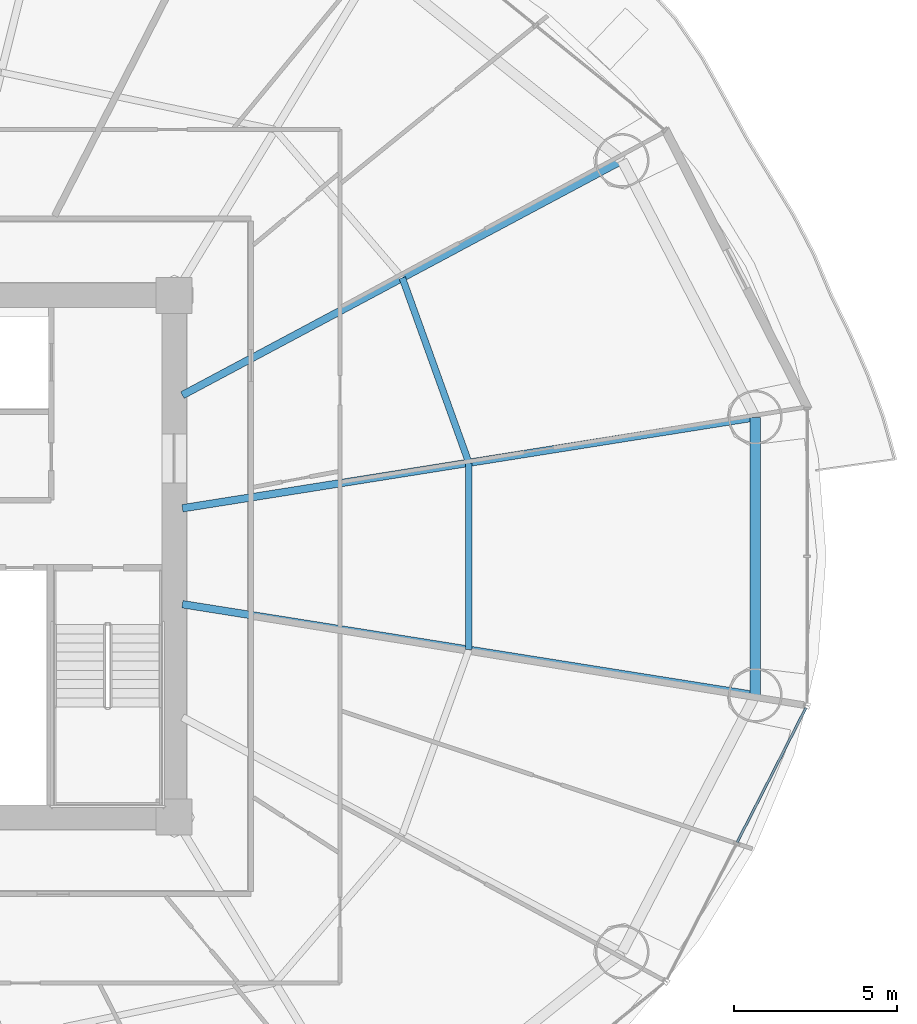
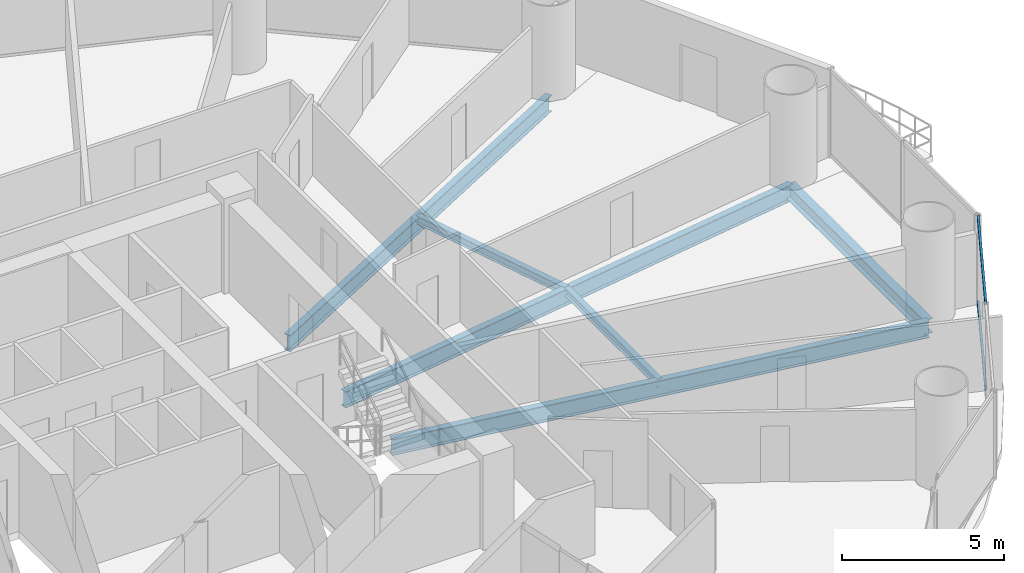
# One storey, part 13 of 30: 6 beams, 2 members, 1 element without a shape of its own.
"""IFC4 building model written with IfcOpenShell, lengths in metres."""

import ifcopenshell
import ifcopenshell.guid

model = None  # the IFC model being written
_history = None  # IfcOwnerHistory: only IFC2X3 demands one
_inside = {}  # id of a spatial element -> (the spatial element, [elements in it])
_under = {}  # id of a project, library or spatial element -> (it, [spatial elements below it])
_declared = {}  # id of a project -> (the project, [libraries it declares])
_typed = {}  # id of a type object -> (the type object, [elements of that type])
_made_of = {}  # id of a material, layer set ... -> (it, [elements and type objects made of it])


def new_model(schema):
    """Start an empty IFC model of exactly this schema.

    Asked for "IFC4X3", IfcOpenShell would pick the latest addendum, in which some entities
    have other attributes; the version numbers below select the first issue.
    IFC2X3 requires an IfcOwnerHistory on every rooted entity: one is made here for all.
    """
    global model, _history
    if schema == "IFC4X3":
        model = ifcopenshell.file(schema_version=(4, 3, 0, 0))
    else:
        model = ifcopenshell.file(schema=schema)
    _inside.clear()
    _under.clear()
    _declared.clear()
    _typed.clear()
    _made_of.clear()
    _history = None
    if model.schema == "IFC2X3":
        org = make("IfcOrganization", Name="unknown")
        user = make(
            "IfcPersonAndOrganization",
            ThePerson=make("IfcPerson", FamilyName="unknown"),
            TheOrganization=org,
        )
        app = make(
            "IfcApplication",
            ApplicationDeveloper=org,
            Version="unknown",
            ApplicationFullName="unknown",
            ApplicationIdentifier="unknown",
        )
        _history = make(
            "IfcOwnerHistory",
            OwningUser=user,
            OwningApplication=app,
            ChangeAction="ADDED",
            CreationDate=0,
        )
    return model


def make(cls, **values):
    """One entity of the class cls with the attributes given. An attribute that is None is left unset."""
    return model.create_entity(
        cls, **{name: value for name, value in values.items() if value is not None}
    )


def rooted(cls, **values):
    """An entity with a GlobalId (a new one), such as an element, a storey or a relation."""
    return make(cls, GlobalId=ifcopenshell.guid.new(), OwnerHistory=_history, **values)


def si_unit(unit_type, name, prefix=None):
    """IfcSIUnit, for example si_unit("LENGTHUNIT", "METRE", prefix="MILLI")."""
    return make("IfcSIUnit", UnitType=unit_type, Prefix=prefix, Name=name)


def assignment(units):
    """IfcUnitAssignment: the units of a project."""
    return None if units is None else make("IfcUnitAssignment", Units=units)


def point(xyz):
    """IfcCartesianPoint."""
    return None if xyz is None else make("IfcCartesianPoint", Coordinates=xyz)


def direction(xyz):
    """IfcDirection."""
    return None if xyz is None else make("IfcDirection", DirectionRatios=xyz)


def frame(location, z_axis=None, x_axis=None):
    """IfcAxis2Placement3D, a coordinate frame: its origin and axes. An axis left out is left unset."""
    return make(
        "IfcAxis2Placement3D",
        Location=point(location),
        Axis=direction(z_axis),
        RefDirection=direction(x_axis),
    )


def frame_2d(location, x_axis=None):
    """IfcAxis2Placement2D, a coordinate frame in the plane: its origin and x axis."""
    return make(
        "IfcAxis2Placement2D", Location=point(location), RefDirection=direction(x_axis)
    )


def origin():
    """The frame at (0, 0, 0) with its axes left unset."""
    return frame((0.0, 0.0, 0.0))


def origin_2d():
    """The frame at (0, 0) in the plane with its x axis left unset."""
    return frame_2d((0.0, 0.0))


def place(relative_to, where):
    """IfcLocalPlacement: puts the frame where relative to a parent placement (None: the world)."""
    return make(
        "IfcLocalPlacement", PlacementRelTo=relative_to, RelativePlacement=where
    )


def context(
    kind, dimensions, precision=None, world=None, true_north=None, identifier=None
):
    """IfcGeometricRepresentationContext, for example the 3D "Model" context."""
    return make(
        "IfcGeometricRepresentationContext",
        ContextIdentifier=identifier,
        ContextType=kind,
        CoordinateSpaceDimension=dimensions,
        Precision=precision,
        WorldCoordinateSystem=world,
        TrueNorth=true_north,
    )


def subcontext(parent, identifier, kind, view, scale=None):
    """IfcGeometricRepresentationSubContext, for example "Body" below "Model"."""
    return make(
        "IfcGeometricRepresentationSubContext",
        ContextIdentifier=identifier,
        ContextType=kind,
        ParentContext=parent,
        TargetScale=scale,
        TargetView=view,
    )


def project(units=None, contexts=None):
    """IfcProject with its units and contexts."""
    return rooted(
        "IfcProject",
        Name="project",
        RepresentationContexts=contexts,
        UnitsInContext=assignment(units),
    )


def spatial(cls, under=None, at=None, **own):
    """A site, building, storey or space (cls), placed at a placement, below another one or the project."""
    s = rooted(cls, ObjectPlacement=at, **own)
    if under is not None:
        _under.setdefault(under.id(), (under, []))[1].append(s)
    return s


def profile(cls, at=None, kind="AREA", **sizes):
    """A parametric profile (cls). Its sizes go by their IFC names, for example OverallWidth=200.0."""
    return make(cls, ProfileType=kind, Position=at, **sizes)


def hollow_rectangle(**sizes):
    """IfcRectangleHollowProfileDef."""
    return profile("IfcRectangleHollowProfileDef", **sizes)


def i_section(**sizes):
    """IfcIShapeProfileDef."""
    return profile("IfcIShapeProfileDef", **sizes)


def extrude(swept, where, along, depth):
    """IfcExtrudedAreaSolid: the profile swept, set in the frame where, extruded along a direction by depth."""
    return make(
        "IfcExtrudedAreaSolid",
        SweptArea=swept,
        Position=where,
        ExtrudedDirection=direction(along),
        Depth=depth,
    )


def shape(context_of_items, identifier, shape_type, items):
    """IfcShapeRepresentation: the items that make up one representation, for example the "Body"."""
    return make(
        "IfcShapeRepresentation",
        ContextOfItems=context_of_items,
        RepresentationIdentifier=identifier,
        RepresentationType=shape_type,
        Items=items,
    )


def source(mapping_origin, context_of_items, identifier, shape_type, items):
    """IfcRepresentationMap: a shape defined once, which mapped items show again and again."""
    return make(
        "IfcRepresentationMap",
        MappingOrigin=mapping_origin,
        MappedRepresentation=shape(context_of_items, identifier, shape_type, items),
    )


def transform(
    local_origin,
    x_axis=None,
    y_axis=None,
    z_axis=None,
    scale=None,
    scale2=None,
    scale3=None,
    uniform=True,
):
    """IfcCartesianTransformationOperator3D, or its non-uniform kind. x_axis, y_axis, z_axis: its Axis1, 2, 3."""
    if uniform:
        return make(
            "IfcCartesianTransformationOperator3D",
            Axis1=direction(x_axis),
            Axis2=direction(y_axis),
            LocalOrigin=point(local_origin),
            Scale=scale,
            Axis3=direction(z_axis),
        )
    return make(
        "IfcCartesianTransformationOperator3DnonUniform",
        Axis1=direction(x_axis),
        Axis2=direction(y_axis),
        LocalOrigin=point(local_origin),
        Scale=scale,
        Axis3=direction(z_axis),
        Scale2=scale2,
        Scale3=scale3,
    )


def mapped(mapping_source, mapping_target):
    """IfcMappedItem: shows the shape of a source again, moved by a transform."""
    return make(
        "IfcMappedItem", MappingSource=mapping_source, MappingTarget=mapping_target
    )


def material(Name=None, Category=None):
    """IfcMaterial."""
    return make("IfcMaterial", Name=Name, Category=Category)


def material_profile(
    of_material, cross_section, Name=None, Category=None, Priority=None
):
    """IfcMaterialProfile: a cross section and its material."""
    return make(
        "IfcMaterialProfile",
        Name=Name,
        Material=of_material,
        Profile=cross_section,
        Priority=Priority,
        Category=Category,
    )


def profile_set(profiles, Name=None, composite=None):
    """IfcMaterialProfileSet."""
    return make(
        "IfcMaterialProfileSet",
        Name=Name,
        MaterialProfiles=profiles,
        CompositeProfile=composite,
    )


def made_of(thing, what):
    """Note that an element or type object is made of a material, layer set ...; save() writes the relation."""
    if what is not None:
        _made_of.setdefault(what.id(), (what, []))[1].append(thing)
    return thing


def type_object(cls, material=None, **own):
    """A type object (cls), such as IfcWallType, which elements share."""
    return made_of(rooted(cls, **own), material)


def element(
    cls,
    number,
    at=None,
    inside=None,
    cuts=None,
    type_object=None,
    material=None,
    context=None,
    identifier="Body",
    shape_type=None,
    held_by="IfcProductDefinitionShape",
    body=None,
    shapes=None,
    **own,
):
    """One element of the class cls, such as IfcWall. Its Tag is "e" and its number.

    at: its placement. inside: the storey or other place that contains it. cuts: it is an
    opening in that element (IfcRelVoidsElement). A single representation is given by context,
    identifier, shape_type and body (its items); several are given by shapes. held_by: the class
    of the entity that holds the representations. save() writes the other relations.
    """
    e = rooted(cls, Tag="e%d" % number, ObjectPlacement=at, **own)
    if body is not None:
        shapes = [shape(context, identifier, shape_type, body)]
    if shapes is not None:
        e.Representation = make(held_by, Representations=shapes)
    if inside is not None:
        _inside.setdefault(inside.id(), (inside, []))[1].append(e)
    if cuts is not None:
        rooted(
            "IfcRelVoidsElement", RelatingBuildingElement=cuts, RelatedOpeningElement=e
        )
    if type_object is not None:
        _typed.setdefault(type_object.id(), (type_object, []))[1].append(e)
    return made_of(e, material)


def aggregate(whole, parts):
    """IfcRelAggregates: a whole, such as a stair, and the parts it consists of."""
    return rooted("IfcRelAggregates", RelatingObject=whole, RelatedObjects=parts)


def save(model, path):
    """Write the relations noted so far, then the file.

    IfcRelAggregates (storeys below a building ...), IfcRelContainedInSpatialStructure (elements
    in a storey), IfcRelDefinesByType, IfcRelAssociatesMaterial and IfcRelDeclares: one each for
    every whole, place, type object, material and project.
    """
    for whole, parts in _under.values():
        aggregate(whole, parts)
    for where, things in _inside.values():
        rooted(
            "IfcRelContainedInSpatialStructure",
            RelatedElements=things,
            RelatingStructure=where,
        )
    for kind, things in _typed.values():
        rooted("IfcRelDefinesByType", RelatedObjects=things, RelatingType=kind)
    for what, things in _made_of.values():
        rooted("IfcRelAssociatesMaterial", RelatedObjects=things, RelatingMaterial=what)
    for by, libraries in _declared.values():
        rooted("IfcRelDeclares", RelatingContext=by, RelatedDefinitions=libraries)
    model.write(path)


model = new_model("IFC4")

# Units and contexts
model_context = context("Model", 3, precision=1e-05, world=origin(), true_north=direction((-0.2419218956, 0.970295726276)))
body_context = subcontext(model_context, "Body", "Model", "MODEL_VIEW")
ifc_project = project(units=[si_unit("LENGTHUNIT", "METRE"), si_unit("AREAUNIT", "SQUARE_METRE"), si_unit("VOLUMEUNIT", "CUBIC_METRE"), si_unit("PLANEANGLEUNIT", "RADIAN"), si_unit("MASSUNIT", "GRAM", prefix="KILO")], contexts=[model_context])

# Site, building, storey
site_placement = place(None, origin())
site = spatial("IfcSite", under=ifc_project, at=site_placement, CompositionType="ELEMENT")
building_placement = place(site_placement, origin())
building = spatial("IfcBuilding", under=site, at=building_placement, Name="Cobrevalo Terracotta Tower", CompositionType="ELEMENT")
storey_placement = place(building_placement, frame((0.0, 0.0, 31.199951171875)))
storey = spatial("IfcBuildingStorey", under=building, at=storey_placement, Name="L07", CompositionType="ELEMENT", Elevation=31.199951171875)

# Beams
ifc_material_1 = material(Name="Steel S355", Category="steel")
ifc_material_profile_1 = material_profile(ifc_material_1, i_section(OverallWidth=0.22998046875, OverallDepth=0.616943359375, WebThickness=0.01318359375, FlangeThickness=0.022216796875, at=origin_2d()), Name="W 610x140")
ifc_profile_set_1 = profile_set([ifc_material_profile_1], Name="Steel S355")
beam_type_1 = type_object("IfcBeamType", Name="Structural Beam W 610x140 (Steel S355)", PredefinedType="BEAM", material=ifc_profile_set_1)
beam_1_placement = place(storey_placement, frame((64.824462890625, 31.062744140625, -0.58837890625), z_axis=(-0.987607924622, -0.156941349628, 0.0), x_axis=(0.156941349628, -0.987607924622, 0.0)))
element("IfcBeam", 1, at=beam_1_placement, inside=storey, type_object=beam_type_1, Name="L07 radial floor girder 01", PredefinedType="BEAM", context=body_context, shape_type="SweptSolid", body=[
    extrude(i_section(OverallWidth=0.22998046875, OverallDepth=0.616943359375, WebThickness=0.01318359375, FlangeThickness=0.022216796875, at=origin_2d()), origin(), (0.0, 0.0, 1.0), 17.7900390625),
])
beam_2_placement = place(storey_placement, frame((60.74072265625, 38.939208984375, -0.58837890625), z_axis=(-0.88218223571, -0.470908168329, 0.0), x_axis=(0.470908168329, -0.88218223571, 0.0)))
element("IfcBeam", 2, at=beam_2_placement, inside=storey, type_object=beam_type_1, Name="L07 radial floor girder 02", PredefinedType="BEAM", context=body_context, shape_type="SweptSolid", body=[
    extrude(i_section(OverallWidth=0.22998046875, OverallDepth=0.616943359375, WebThickness=0.01318359375, FlangeThickness=0.022216796875, at=origin_2d()), origin(), (0.0, 0.0, 1.0), 15.286865234375),
])
beam_3_placement = place(storey_placement, frame((64.824462890625, 22.537353515625, -0.58837890625), z_axis=(-0.987607924622, 0.156941349628, 0.0), x_axis=(-0.156941349628, -0.987607924622, 0.0)))
element("IfcBeam", 3, at=beam_3_placement, inside=storey, type_object=beam_type_1, Name="L07 radial floor girder 16", PredefinedType="BEAM", context=body_context, shape_type="SweptSolid", body=[
    extrude(i_section(OverallWidth=0.22998046875, OverallDepth=0.616943359375, WebThickness=0.01318359375, FlangeThickness=0.022216796875, at=origin_2d()), origin(), (0.0, 0.0, 1.0), 17.7900390625),
])
ifc_material_profile_2 = material_profile(ifc_material_1, i_section(OverallWidth=0.2041015625, OverallDepth=0.305908203125, WebThickness=0.008544921875, FlangeThickness=0.0146484375, at=origin_2d()), Name="W 310x67")
ifc_profile_set_2 = profile_set([ifc_material_profile_2], Name="Steel S355")
beam_type_2 = type_object("IfcBeamType", Name="Structural Joist W 310x67 (Steel S355)", PredefinedType="JOIST", material=ifc_profile_set_2)
beam_4_placement = place(storey_placement, frame((56.039794921875, 29.666748046875, -0.432861328125), z_axis=(-0.338672151116, 0.940904444701, 0.0), x_axis=(-0.940904444701, -0.338672151116, 0.0)))
element("IfcBeam", 4, at=beam_4_placement, inside=storey, type_object=beam_type_2, Name="L07 circumferential secondary floor joist 01", PredefinedType="JOIST", context=body_context, shape_type="SweptSolid", body=[
    extrude(i_section(OverallWidth=0.2041015625, OverallDepth=0.305908203125, WebThickness=0.008544921875, FlangeThickness=0.0146484375, at=origin_2d()), origin(), (0.0, 0.0, 1.0), 6.029296875),
])
beam_5_placement = place(storey_placement, frame((56.039794921875, 23.933349609375, -0.432861328125), z_axis=(0.0, 1.0, 0.0), x_axis=(-1.0, 0.0, 0.0)))
element("IfcBeam", 5, at=beam_5_placement, inside=storey, type_object=beam_type_2, Name="L07 circumferential secondary floor joist 16", PredefinedType="JOIST", context=body_context, shape_type="SweptSolid", body=[
    extrude(i_section(OverallWidth=0.2041015625, OverallDepth=0.305908203125, WebThickness=0.008544921875, FlangeThickness=0.0146484375, at=origin_2d()), origin(), (0.0, 0.0, 1.0), 5.7333984375),
])
ifc_material_profile_3 = material_profile(ifc_material_1, i_section(OverallWidth=0.31201171875, OverallDepth=0.54296875, WebThickness=0.0126953125, FlangeThickness=0.020263671875, at=origin_2d()), Name="W 530x150")
ifc_profile_set_3 = profile_set([ifc_material_profile_3], Name="Steel S355")
beam_type_3 = type_object("IfcBeamType", Name="Structural Spandrel W 530x150 (Steel S355)", PredefinedType="SPANDREL", material=ifc_profile_set_3)
beam_6_placement = place(storey_placement, frame((64.824462890625, 22.537353515625, -0.551513671875), z_axis=(0.0, 1.0, 0.0), x_axis=(-1.0, 0.0, 0.0)))
element("IfcBeam", 6, at=beam_6_placement, inside=storey, type_object=beam_type_3, Name="L07 perimeter ring spandrel 16", PredefinedType="SPANDREL", context=body_context, shape_type="SweptSolid", body=[
    extrude(i_section(OverallWidth=0.31201171875, OverallDepth=0.54296875, WebThickness=0.0126953125, FlangeThickness=0.020263671875, at=origin_2d()), origin(), (0.0, 0.0, 1.0), 8.525390625),
])

# Curtain wall, members
ifc_material_2 = material(Name="Anodized aluminium", Category="aluminium")
curtain_wall_type = type_object("IfcCurtainWallType", Name="Lower-tower unitised acoustic low-E curtain wall CW-U1", PredefinedType="NOTDEFINED", material=ifc_material_2)
curtain_wall_placement = place(storey_placement, origin())
curtain_wall = element("IfcCurtainWall", 7, at=curtain_wall_placement, inside=storey, type_object=curtain_wall_type, Name="L07 curtain wall CW-L07-S15", PredefinedType="NOTDEFINED")
ifc_material_profile_4 = material_profile(ifc_material_2, hollow_rectangle(XDim=0.074951171875, YDim=0.14990234375, WallThickness=0.00439453125, at=origin_2d()), Name="CWT 75x150")
ifc_profile_set_4 = profile_set([ifc_material_profile_4], Name="Anodized aluminium")
member_type = type_object("IfcMemberType", Name="Tower unitised aluminium transom 75x150", PredefinedType="USERDEFINED", material=ifc_profile_set_4)
shared_shape = source(origin(), body_context, "Body", "SweptSolid", [
    extrude(hollow_rectangle(XDim=0.074951171875, YDim=0.14990234375, WallThickness=0.00439453125, at=origin_2d()), origin(), (0.0, 0.0, 1.0), 4.630859375),
])
member_1_placement = place(storey_placement, frame((64.268798828125, 18.026611328125, 0.050048828125), z_axis=(0.455229952508, 0.890373904795, 0.0), x_axis=(-0.890373904795, 0.455229952508, 0.0)))
member_1 = element("IfcMember", 8, at=member_1_placement, type_object=member_type, Name="CW-L07-S15 transom B02-T1", ObjectType="TRANSOM", PredefinedType="USERDEFINED", context=body_context, shape_type="MappedRepresentation", body=[
    mapped(shared_shape, transform((0.0, 0.0, 0.0), scale=1.0)),
])
member_2_placement = place(storey_placement, frame((64.268798828125, 18.026611328125, 3.27001953125), z_axis=(0.455229952508, 0.890373904795, 0.0), x_axis=(-0.890373904795, 0.455229952508, 0.0)))
member_2 = element("IfcMember", 9, at=member_2_placement, type_object=member_type, Name="CW-L07-S15 transom B02-T2", ObjectType="TRANSOM", PredefinedType="USERDEFINED", context=body_context, shape_type="MappedRepresentation", body=[
    mapped(shared_shape, transform((0.0, 0.0, 0.0), scale=1.0)),
])
aggregate(curtain_wall, [member_1, member_2])

save(model, "model.ifc")
